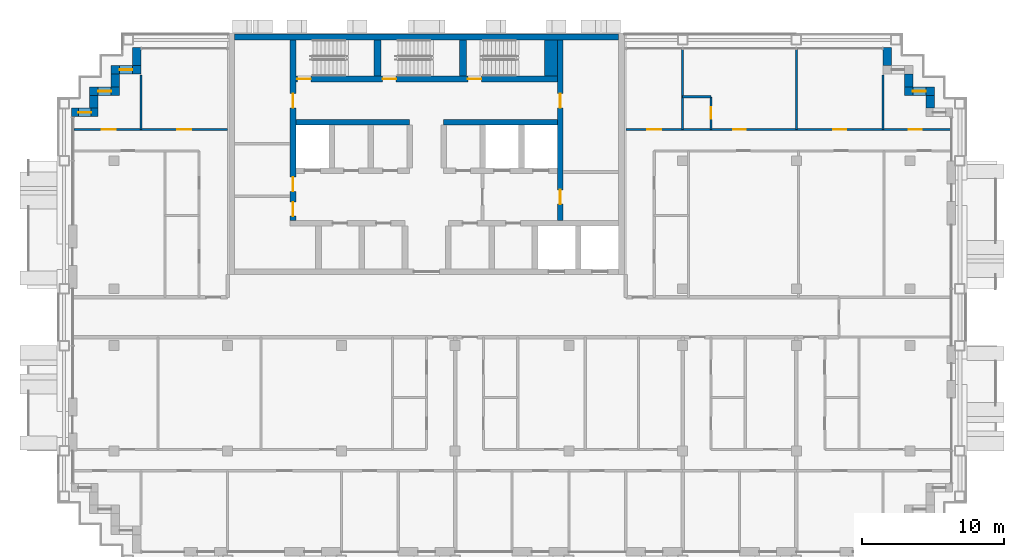
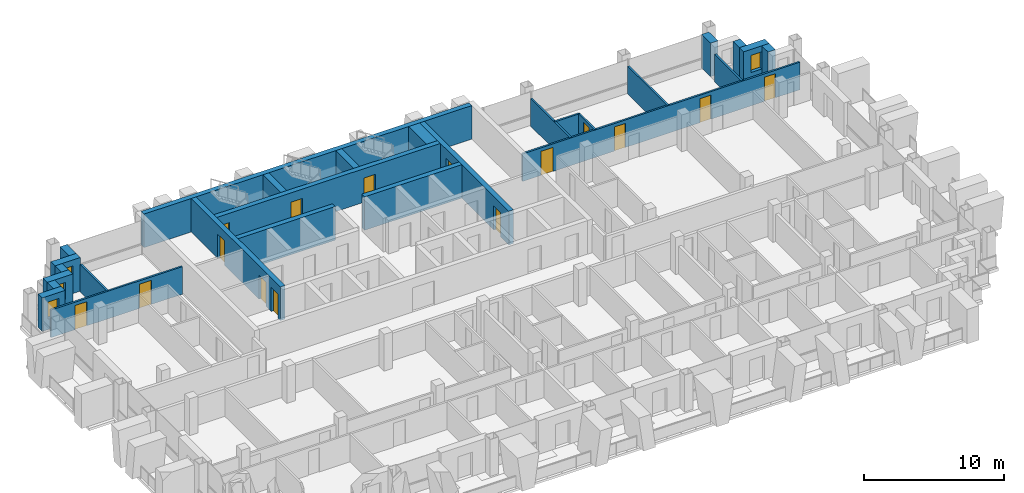
# One storey, part 11 of 16: 27 walls, 15 doors, 4 windows, 19 openings.
"""IFC4 building model written with IfcOpenShell, lengths in metres."""

from ifc_helpers import new_model, si_unit, direction, frame, frame_2d, origin, place, context, subcontext, project, spatial, rectangle, extrude, material, layer, layer_set, type_object, element, fill, save


model = new_model("IFC4")

# Units and contexts
model_context = context("Model", 3, precision=1e-05, world=origin(), true_north=direction((0.0, 1.0)))
body_context = subcontext(model_context, "Body", "Model", "MODEL_VIEW")
ifc_project = project(units=[si_unit("LENGTHUNIT", "METRE"), si_unit("AREAUNIT", "SQUARE_METRE"), si_unit("VOLUMEUNIT", "CUBIC_METRE"), si_unit("PLANEANGLEUNIT", "RADIAN"), si_unit("MASSUNIT", "GRAM", prefix="KILO")], contexts=[model_context])

# Site, building, storey
site_placement = place(None, origin())
site = spatial("IfcSite", under=ifc_project, at=site_placement, CompositionType="ELEMENT")
building_placement = place(site_placement, origin())
building = spatial("IfcBuilding", under=site, at=building_placement, Name="Vidyagriha Tower", CompositionType="ELEMENT")
storey_placement = place(building_placement, frame((0.0, 0.0, 181.300048828125)))
storey = spatial("IfcBuildingStorey", under=building, at=storey_placement, Name="L47", CompositionType="ELEMENT", Elevation=181.300048828125)

# Wall
ifc_material_1 = material(Name="Precast concrete C40/50 with brick facing", Category="concrete")
ifc_layer_1 = layer(ifc_material_1, 0.60009765625)
ifc_layer_set_1 = layer_set([ifc_layer_1], Name="Precast concrete C40/50 with brick facing")
wall_type_1 = type_object("IfcWallType", Name="Brick-faced precast wall 600", PredefinedType="STANDARD", material=ifc_layer_set_1)
wall_1_placement = place(storey_placement, frame((35.39990234375, 14.699951171875, 0.0), z_axis=(0.0, 0.0, 1.0), x_axis=(0.0, 1.0, 0.0)))
element("IfcWall", 1, at=wall_1_placement, inside=storey, type_object=wall_type_1, Name="Stepped corner wall L47 R02", PredefinedType="STANDARD", context=body_context, shape_type="SweptSolid", body=[
    extrude(rectangle(XDim=0.900146484375, YDim=0.60009765625, at=frame_2d((0.4501953125, 0.0))), origin(), (0.0, 0.0, 1.0), 2.919921875),
])

# Wall, opening, window
wall_2_placement = place(storey_placement, frame((35.699951171875, 15.89990234375, 0.0), z_axis=(0.0, 0.0, 1.0), x_axis=(-1.0, 0.0, 0.0)))
wall_2 = element("IfcWall", 2, at=wall_2_placement, inside=storey, type_object=wall_type_1, Name="Stepped corner wall L47 R03", PredefinedType="STANDARD", context=body_context, shape_type="SweptSolid", body=[
    extrude(rectangle(XDim=2.099853515625, YDim=0.60009765625, at=frame_2d((1.0498046875, 0.0))), origin(), (0.0, 0.0, 1.0), 2.919921875),
])
opening_1_placement = place(wall_2_placement, frame((0.60009765625, 0.0, 0.89990234375)))
opening_1 = element("IfcOpeningElement", 3, at=opening_1_placement, cuts=wall_2, Name="Opening WN1", PredefinedType="OPENING", context=body_context, shape_type="SweptSolid", body=[
    extrude(rectangle(XDim=0.89990234375, YDim=1.5, at=frame_2d((0.449951171875, 0.75))), frame((0.0, 0.31005859375, 0.0), z_axis=(0.0, -1.0, 0.0), x_axis=(1.0, 0.0, 0.0)), (0.0, 0.0, 1.0), 0.6201171875),
])
ifc_material_2 = material(Name="Aluminium and glass window", Category="aluminium")
window_type = type_object("IfcWindowType", Name="Reveal window 900x1500", PartitioningType="NOTDEFINED", PredefinedType="WINDOW", material=ifc_material_2)
window_1_placement = place(opening_1_placement, origin())
window_1 = element("IfcWindow", 4, at=window_1_placement, inside=storey, type_object=window_type, Name="Reveal window L47 R03", OverallHeight=1.5, OverallWidth=0.89990234375, PartitioningType="SINGLE_PANEL", PredefinedType="WINDOW", context=body_context, shape_type="SweptSolid", body=[
    extrude(rectangle(XDim=0.89990234375, YDim=1.5, at=frame_2d((0.449951171875, 0.75))), frame((0.0, 0.030029296875, 0.0), z_axis=(0.0, -1.0, 0.0), x_axis=(1.0, 0.0, 0.0)), (0.0, 0.0, 1.0), 0.06005859375),
])
fill(opening_1, window_1)

# Walls
wall_3_placement = place(storey_placement, frame((33.89990234375, 16.199951171875, 0.0), z_axis=(0.0, 0.0, 1.0), x_axis=(0.0, 1.0, 0.0)))
element("IfcWall", 5, at=wall_3_placement, inside=storey, type_object=wall_type_1, Name="Stepped corner wall L47 R04", PredefinedType="STANDARD", context=body_context, shape_type="SweptSolid", body=[
    extrude(rectangle(XDim=0.900146484375, YDim=0.60009765625, at=frame_2d((0.4501953125, 0.0))), origin(), (0.0, 0.0, 1.0), 2.919921875),
])
for number, where, z_axis, x_axis, name in (
    (6, (32.39990234375, 17.699951171875, 0.0), (0.0, 0.0, 1.0), (0.0, 1.0, 0.0), "Stepped corner wall L47 R06"),
    (7, (-20.39990234375, 18.97998046875, 0.0), (0.0, 0.0, 1.0), (0.0, -1.0, 0.0), "Stepped corner wall L47 R10"),
):
    element("IfcWall", number, at=place(storey_placement, frame(where, z_axis=z_axis, x_axis=x_axis)), inside=storey, type_object=wall_type_1, Name=name, PredefinedType="STANDARD", context=body_context, shape_type="SweptSolid", body=[
        extrude(rectangle(XDim=1.280029296875, YDim=0.60009765625, at=frame_2d((0.64013671875, 0.0))), origin(), (0.0, 0.0, 1.0), 2.919921875),
    ])

# Wall, opening, window
wall_4_placement = place(storey_placement, frame((-20.10009765625, 17.39990234375, 0.0), z_axis=(0.0, 0.0, 1.0), x_axis=(-1.0, 0.0, 0.0)))
wall_4 = element("IfcWall", 8, at=wall_4_placement, inside=storey, type_object=wall_type_1, Name="Stepped corner wall L47 R11", PredefinedType="STANDARD", context=body_context, shape_type="SweptSolid", body=[
    extrude(rectangle(XDim=2.099853515625, YDim=0.60009765625, at=frame_2d((1.0498046875, 0.0))), origin(), (0.0, 0.0, 1.0), 2.919921875),
])
opening_2_placement = place(wall_4_placement, frame((0.60009765625, 0.0, 0.89990234375)))
opening_2 = element("IfcOpeningElement", 9, at=opening_2_placement, cuts=wall_4, Name="Opening WN1", PredefinedType="OPENING", context=body_context, shape_type="SweptSolid", body=[
    extrude(rectangle(XDim=0.89990234375, YDim=1.5, at=frame_2d((0.449951171875, 0.75))), frame((0.0, 0.31005859375, 0.0), z_axis=(0.0, -1.0, 0.0), x_axis=(1.0, 0.0, 0.0)), (0.0, 0.0, 1.0), 0.6201171875),
])
window_2_placement = place(opening_2_placement, origin())
window_2 = element("IfcWindow", 10, at=window_2_placement, inside=storey, type_object=window_type, Name="Reveal window L47 R11", OverallHeight=1.5, OverallWidth=0.89990234375, PartitioningType="SINGLE_PANEL", PredefinedType="WINDOW", context=body_context, shape_type="SweptSolid", body=[
    extrude(rectangle(XDim=0.89990234375, YDim=1.5, at=frame_2d((0.449951171875, 0.75))), frame((0.0, 0.030029296875, 0.0), z_axis=(0.0, -1.0, 0.0), x_axis=(1.0, 0.0, 0.0)), (0.0, 0.0, 1.0), 0.06005859375),
])
fill(opening_2, window_2)

# Wall
wall_5_placement = place(storey_placement, frame((-21.89990234375, 17.10009765625, 0.0), z_axis=(0.0, 0.0, 1.0), x_axis=(0.0, -1.0, 0.0)))
element("IfcWall", 11, at=wall_5_placement, inside=storey, type_object=wall_type_1, Name="Stepped corner wall L47 R12", PredefinedType="STANDARD", context=body_context, shape_type="SweptSolid", body=[
    extrude(rectangle(XDim=0.900146484375, YDim=0.60009765625, at=frame_2d((0.4501953125, 0.0))), origin(), (0.0, 0.0, 1.0), 2.919921875),
])

# Wall, opening, window
wall_6_placement = place(storey_placement, frame((-21.60009765625, 15.89990234375, 0.0), z_axis=(0.0, 0.0, 1.0), x_axis=(-1.0, 0.0, 0.0)))
wall_6 = element("IfcWall", 12, at=wall_6_placement, inside=storey, type_object=wall_type_1, Name="Stepped corner wall L47 R13", PredefinedType="STANDARD", context=body_context, shape_type="SweptSolid", body=[
    extrude(rectangle(XDim=2.099853515625, YDim=0.60009765625, at=frame_2d((1.0498046875, 0.0))), origin(), (0.0, 0.0, 1.0), 2.919921875),
])
opening_3_placement = place(wall_6_placement, frame((0.60009765625, 0.0, 0.89990234375)))
opening_3 = element("IfcOpeningElement", 13, at=opening_3_placement, cuts=wall_6, Name="Opening WN1", PredefinedType="OPENING", context=body_context, shape_type="SweptSolid", body=[
    extrude(rectangle(XDim=0.89990234375, YDim=1.5, at=frame_2d((0.449951171875, 0.75))), frame((0.0, 0.31005859375, 0.0), z_axis=(0.0, -1.0, 0.0), x_axis=(1.0, 0.0, 0.0)), (0.0, 0.0, 1.0), 0.6201171875),
])
window_3_placement = place(opening_3_placement, origin())
window_3 = element("IfcWindow", 14, at=window_3_placement, inside=storey, type_object=window_type, Name="Reveal window L47 R13", OverallHeight=1.5, OverallWidth=0.89990234375, PartitioningType="SINGLE_PANEL", PredefinedType="WINDOW", context=body_context, shape_type="SweptSolid", body=[
    extrude(rectangle(XDim=0.89990234375, YDim=1.5, at=frame_2d((0.449951171875, 0.75))), frame((0.0, 0.030029296875, 0.0), z_axis=(0.0, -1.0, 0.0), x_axis=(1.0, 0.0, 0.0)), (0.0, 0.0, 1.0), 0.06005859375),
])
fill(opening_3, window_3)

# Wall
wall_7_placement = place(storey_placement, frame((-23.39990234375, 15.60009765625, 0.0), z_axis=(0.0, 0.0, 1.0), x_axis=(0.0, -1.0, 0.0)))
element("IfcWall", 15, at=wall_7_placement, inside=storey, type_object=wall_type_1, Name="Stepped corner wall L47 R14", PredefinedType="STANDARD", context=body_context, shape_type="SweptSolid", body=[
    extrude(rectangle(XDim=0.900146484375, YDim=0.60009765625, at=frame_2d((0.4501953125, 0.0))), origin(), (0.0, 0.0, 1.0), 2.919921875),
])

# Wall, opening, window
wall_8_placement = place(storey_placement, frame((-23.10009765625, 14.39990234375, 0.0), z_axis=(0.0, 0.0, 1.0), x_axis=(-1.0, 0.0, 0.0)))
wall_8 = element("IfcWall", 16, at=wall_8_placement, inside=storey, type_object=wall_type_1, Name="Stepped corner wall L47 R15", PredefinedType="STANDARD", context=body_context, shape_type="SweptSolid", body=[
    extrude(rectangle(XDim=1.8798828125, YDim=0.60009765625, at=frame_2d((0.93994140625, 0.0))), origin(), (0.0, 0.0, 1.0), 2.919921875),
])
opening_4_placement = place(wall_8_placement, frame((0.489990234375, 0.0, 0.89990234375)))
opening_4 = element("IfcOpeningElement", 17, at=opening_4_placement, cuts=wall_8, Name="Opening WN1", PredefinedType="OPENING", context=body_context, shape_type="SweptSolid", body=[
    extrude(rectangle(XDim=0.89990234375, YDim=1.5, at=frame_2d((0.449951171875, 0.75))), frame((0.0, 0.31005859375, 0.0), z_axis=(0.0, -1.0, 0.0), x_axis=(1.0, 0.0, 0.0)), (0.0, 0.0, 1.0), 0.6201171875),
])
window_4_placement = place(opening_4_placement, origin())
window_4 = element("IfcWindow", 18, at=window_4_placement, inside=storey, type_object=window_type, Name="Reveal window L47 R15", OverallHeight=1.5, OverallWidth=0.89990234375, PartitioningType="SINGLE_PANEL", PredefinedType="WINDOW", context=body_context, shape_type="SweptSolid", body=[
    extrude(rectangle(XDim=0.89990234375, YDim=1.5, at=frame_2d((0.449951171875, 0.75))), frame((0.0, 0.030029296875, 0.0), z_axis=(0.0, -1.0, 0.0), x_axis=(1.0, 0.0, 0.0)), (0.0, 0.0, 1.0), 0.06005859375),
])
fill(opening_4, window_4)

# Wall
ifc_material_3 = material(Name="Concrete C60/75", Category="concrete")
ifc_layer_2 = layer(ifc_material_3, 0.39990234375)
ifc_layer_set_2 = layer_set([ifc_layer_2], Name="Concrete C60/75")
wall_type_2 = type_object("IfcWallType", Name="Core shear wall 400 mm", PredefinedType="SHEAR", material=ifc_layer_set_2)
wall_9_placement = place(storey_placement, frame((-13.5, 19.699951171875, 0.0)))
element("IfcWall", 19, at=wall_9_placement, inside=storey, type_object=wall_type_2, Name="Core north wall", PredefinedType="SHEAR", context=body_context, shape_type="SweptSolid", body=[
    extrude(rectangle(XDim=27.0, YDim=0.39990234375, at=frame_2d((13.5, 0.0))), origin(), (0.0, 0.0, 1.0), 2.919921875),
])

# Wall, openings, doors
wall_10_placement = place(storey_placement, frame((-9.39990234375, 6.800048828125, 0.0), z_axis=(0.0, 0.0, 1.0), x_axis=(0.0, 1.0, 0.0)))
wall_10 = element("IfcWall", 20, at=wall_10_placement, inside=storey, type_object=wall_type_2, Name="Core west spine wall", PredefinedType="SHEAR", context=body_context, shape_type="SweptSolid", body=[
    extrude(rectangle(XDim=12.699951171875, YDim=0.39990234375, at=frame_2d((6.35009765625, 0.0))), origin(), (0.0, 0.0, 1.0), 2.919921875),
])
opening_5_placement = place(wall_10_placement, frame((0.300048828125, 0.0, 0.0)))
opening_5 = element("IfcOpeningElement", 21, at=opening_5_placement, cuts=wall_10, Name="Opening D47-13", PredefinedType="OPENING", context=body_context, shape_type="SweptSolid", body=[
    extrude(rectangle(XDim=1.0, YDim=2.10009765625, at=frame_2d((0.5, 1.050048828125))), frame((0.0, 0.2099609375, 0.0), z_axis=(0.0, -1.0, 0.0), x_axis=(1.0, 0.0, 0.0)), (0.0, 0.0, 1.0), 0.419921875),
])
opening_6_placement = place(wall_10_placement, frame((2.050048828125, 0.0, 0.0)))
opening_6 = element("IfcOpeningElement", 22, at=opening_6_placement, cuts=wall_10, Name="Opening D47-14", PredefinedType="OPENING", context=body_context, shape_type="SweptSolid", body=[
    extrude(rectangle(XDim=1.0, YDim=2.10009765625, at=frame_2d((0.5, 1.050048828125))), frame((0.0, 0.2099609375, 0.0), z_axis=(0.0, -1.0, 0.0), x_axis=(1.0, 0.0, 0.0)), (0.0, 0.0, 1.0), 0.419921875),
])
opening_7_placement = place(wall_10_placement, frame((7.925048828125, 0.0, 0.0)))
opening_7 = element("IfcOpeningElement", 23, at=opening_7_placement, cuts=wall_10, Name="Opening D47-15", PredefinedType="OPENING", context=body_context, shape_type="SweptSolid", body=[
    extrude(rectangle(XDim=1.0, YDim=2.10009765625, at=frame_2d((0.5, 1.050048828125))), frame((0.0, 0.2099609375, 0.0), z_axis=(0.0, -1.0, 0.0), x_axis=(1.0, 0.0, 0.0)), (0.0, 0.0, 1.0), 0.419921875),
])
ifc_material_4 = material(Name="Hollow metal door leaf")
door_type_1 = type_object("IfcDoorType", Name="Core room door 1000 x 2100 mm EI 60", OperationType="NOTDEFINED", PredefinedType="DOOR", material=ifc_material_4)
door_1_placement = place(opening_5_placement, frame((1.0, 0.0, 0.0), z_axis=(0.0, 0.0, 1.0), x_axis=(-1.0, 0.0, 0.0)))
door_1 = element("IfcDoor", 24, at=door_1_placement, inside=storey, type_object=door_type_1, Name="Door Pressurisation Plant Room 47.W1", OperationType="SINGLE_SWING_RIGHT", OverallHeight=2.10009765625, OverallWidth=1.0, PredefinedType="DOOR", context=body_context, shape_type="SweptSolid", body=[
    extrude(rectangle(XDim=1.0, YDim=2.10009765625, at=frame_2d((0.5, 1.050048828125))), frame((0.0, 0.02490234375, 0.0), z_axis=(0.0, -1.0, 0.0), x_axis=(1.0, 0.0, 0.0)), (0.0, 0.0, 1.0), 0.050048828125),
])
fill(opening_5, door_1)
door_2_placement = place(opening_6_placement, frame((1.0, 0.0, 0.0), z_axis=(0.0, 0.0, 1.0), x_axis=(-1.0, 0.0, 0.0)))
door_2 = element("IfcDoor", 25, at=door_2_placement, inside=storey, type_object=door_type_1, Name="Door Switchgear Room 47.W2", OperationType="SINGLE_SWING_LEFT", OverallHeight=2.10009765625, OverallWidth=1.0, PredefinedType="DOOR", context=body_context, shape_type="SweptSolid", body=[
    extrude(rectangle(XDim=1.0, YDim=2.10009765625, at=frame_2d((0.5, 1.050048828125))), frame((0.0, 0.02490234375, 0.0), z_axis=(0.0, -1.0, 0.0), x_axis=(1.0, 0.0, 0.0)), (0.0, 0.0, 1.0), 0.050048828125),
])
fill(opening_6, door_2)
door_3_placement = place(opening_7_placement, frame((1.0, 0.0, 0.0), z_axis=(0.0, 0.0, 1.0), x_axis=(-1.0, 0.0, 0.0)))
door_3 = element("IfcDoor", 26, at=door_3_placement, inside=storey, type_object=door_type_1, Name="Door Communications Room 47.W3", OperationType="SINGLE_SWING_LEFT", OverallHeight=2.10009765625, OverallWidth=1.0, PredefinedType="DOOR", context=body_context, shape_type="SweptSolid", body=[
    extrude(rectangle(XDim=1.0, YDim=2.10009765625, at=frame_2d((0.5, 1.050048828125))), frame((0.0, 0.02490234375, 0.0), z_axis=(0.0, -1.0, 0.0), x_axis=(1.0, 0.0, 0.0)), (0.0, 0.0, 1.0), 0.050048828125),
])
fill(opening_7, door_3)

wall_11_placement = place(storey_placement, frame((9.39990234375, 6.800048828125, 0.0), z_axis=(0.0, 0.0, 1.0), x_axis=(0.0, 1.0, 0.0)))
wall_11 = element("IfcWall", 27, at=wall_11_placement, inside=storey, type_object=wall_type_2, Name="Core east spine wall", PredefinedType="SHEAR", context=body_context, shape_type="SweptSolid", body=[
    extrude(rectangle(XDim=12.699951171875, YDim=0.39990234375, at=frame_2d((6.35009765625, 0.0))), origin(), (0.0, 0.0, 1.0), 2.919921875),
])
opening_8_placement = place(wall_11_placement, frame((1.14990234375, 0.0, 0.0)))
opening_8 = element("IfcOpeningElement", 28, at=opening_8_placement, cuts=wall_11, Name="Opening D47-16", PredefinedType="OPENING", context=body_context, shape_type="SweptSolid", body=[
    extrude(rectangle(XDim=1.0, YDim=2.10009765625, at=frame_2d((0.5, 1.050048828125))), frame((0.0, 0.2099609375, 0.0), z_axis=(0.0, -1.0, 0.0), x_axis=(1.0, 0.0, 0.0)), (0.0, 0.0, 1.0), 0.419921875),
])
opening_9_placement = place(wall_11_placement, frame((7.925048828125, 0.0, 0.0)))
opening_9 = element("IfcOpeningElement", 29, at=opening_9_placement, cuts=wall_11, Name="Opening D47-17", PredefinedType="OPENING", context=body_context, shape_type="SweptSolid", body=[
    extrude(rectangle(XDim=1.0, YDim=2.10009765625, at=frame_2d((0.5, 1.050048828125))), frame((0.0, 0.2099609375, 0.0), z_axis=(0.0, -1.0, 0.0), x_axis=(1.0, 0.0, 0.0)), (0.0, 0.0, 1.0), 0.419921875),
])
door_4_placement = place(opening_8_placement, origin())
door_4 = element("IfcDoor", 30, at=door_4_placement, inside=storey, type_object=door_type_1, Name="Door Switchgear Room 47.E1", OperationType="SINGLE_SWING_RIGHT", OverallHeight=2.10009765625, OverallWidth=1.0, PredefinedType="DOOR", context=body_context, shape_type="SweptSolid", body=[
    extrude(rectangle(XDim=1.0, YDim=2.10009765625, at=frame_2d((0.5, 1.050048828125))), frame((0.0, 0.02490234375, 0.0), z_axis=(0.0, -1.0, 0.0), x_axis=(1.0, 0.0, 0.0)), (0.0, 0.0, 1.0), 0.050048828125),
])
fill(opening_8, door_4)
door_5_placement = place(opening_9_placement, origin())
door_5 = element("IfcDoor", 31, at=door_5_placement, inside=storey, type_object=door_type_1, Name="Door Electrical Room 47.E2", OperationType="SINGLE_SWING_LEFT", OverallHeight=2.10009765625, OverallWidth=1.0, PredefinedType="DOOR", context=body_context, shape_type="SweptSolid", body=[
    extrude(rectangle(XDim=1.0, YDim=2.10009765625, at=frame_2d((0.5, 1.050048828125))), frame((0.0, 0.02490234375, 0.0), z_axis=(0.0, -1.0, 0.0), x_axis=(1.0, 0.0, 0.0)), (0.0, 0.0, 1.0), 0.050048828125),
])
fill(opening_9, door_5)

# Walls
for number, where, name in (
    (32, (-9.199951171875, 13.699951171875, 0.0), "Core row N rear wall"),
    (33, (1.199951171875, 13.699951171875, 0.0), "Core row N rear wall"),
):
    element("IfcWall", number, at=place(storey_placement, frame(where)), inside=storey, type_object=wall_type_2, Name=name, PredefinedType="SHEAR", context=body_context, shape_type="SweptSolid", body=[
        extrude(rectangle(XDim=8.0, YDim=0.39990234375, at=frame_2d((4.0, 0.0))), origin(), (0.0, 0.0, 1.0), 2.919921875),
    ])

# Wall, openings, doors
wall_12_placement = place(storey_placement, frame((-9.199951171875, 16.75, 0.0)))
wall_12 = element("IfcWall", 34, at=wall_12_placement, inside=storey, type_object=wall_type_2, Name="Stair front wall", PredefinedType="SHEAR", context=body_context, shape_type="SweptSolid", body=[
    extrude(rectangle(XDim=18.39990234375, YDim=0.39990234375, at=frame_2d((9.199951171875, 0.0))), origin(), (0.0, 0.0, 1.0), 2.919921875),
])
opening_10_placement = place(wall_12_placement, frame((0.10009765625, 0.0, 0.0)))
opening_10 = element("IfcOpeningElement", 35, at=opening_10_placement, cuts=wall_12, Name="Opening D47-10", PredefinedType="OPENING", context=body_context, shape_type="SweptSolid", body=[
    extrude(rectangle(XDim=0.949951171875, YDim=2.10009765625, at=frame_2d((0.47509765625, 1.050048828125))), frame((0.0, 0.2099609375, 0.0), z_axis=(0.0, -1.0, 0.0), x_axis=(1.0, 0.0, 0.0)), (0.0, 0.0, 1.0), 0.419921875),
])
opening_11_placement = place(wall_12_placement, frame((6.10009765625, 0.0, 0.0)))
opening_11 = element("IfcOpeningElement", 36, at=opening_11_placement, cuts=wall_12, Name="Opening D47-11", PredefinedType="OPENING", context=body_context, shape_type="SweptSolid", body=[
    extrude(rectangle(XDim=0.949951171875, YDim=2.10009765625, at=frame_2d((0.47509765625, 1.050048828125))), frame((0.0, 0.2099609375, 0.0), z_axis=(0.0, -1.0, 0.0), x_axis=(1.0, 0.0, 0.0)), (0.0, 0.0, 1.0), 0.419921875),
])
opening_12_placement = place(wall_12_placement, frame((12.10009765625, 0.0, 0.0)))
opening_12 = element("IfcOpeningElement", 37, at=opening_12_placement, cuts=wall_12, Name="Opening D47-12", PredefinedType="OPENING", context=body_context, shape_type="SweptSolid", body=[
    extrude(rectangle(XDim=0.949951171875, YDim=2.10009765625, at=frame_2d((0.47509765625, 1.050048828125))), frame((0.0, 0.2099609375, 0.0), z_axis=(0.0, -1.0, 0.0), x_axis=(1.0, 0.0, 0.0)), (0.0, 0.0, 1.0), 0.419921875),
])
ifc_material_5 = material(Name="Hollow metal door leaf")
door_type_2 = type_object("IfcDoorType", Name="Exit stair door 950 x 2100 mm EI 90", OperationType="NOTDEFINED", PredefinedType="DOOR", material=ifc_material_5)
door_6_placement = place(opening_10_placement, origin())
door_6 = element("IfcDoor", 38, at=door_6_placement, inside=storey, type_object=door_type_2, Name="Stair door ST1 L47", OperationType="SINGLE_SWING_LEFT", OverallHeight=2.10009765625, OverallWidth=0.949951171875, PredefinedType="DOOR", context=body_context, shape_type="SweptSolid", body=[
    extrude(rectangle(XDim=0.949951171875, YDim=2.10009765625, at=frame_2d((0.47509765625, 1.050048828125))), frame((0.0, 0.02490234375, 0.0), z_axis=(0.0, -1.0, 0.0), x_axis=(1.0, 0.0, 0.0)), (0.0, 0.0, 1.0), 0.050048828125),
])
fill(opening_10, door_6)
door_7_placement = place(opening_11_placement, origin())
door_7 = element("IfcDoor", 39, at=door_7_placement, inside=storey, type_object=door_type_2, Name="Stair door ST2 L47", OperationType="SINGLE_SWING_LEFT", OverallHeight=2.10009765625, OverallWidth=0.949951171875, PredefinedType="DOOR", context=body_context, shape_type="SweptSolid", body=[
    extrude(rectangle(XDim=0.949951171875, YDim=2.10009765625, at=frame_2d((0.47509765625, 1.050048828125))), frame((0.0, 0.02490234375, 0.0), z_axis=(0.0, -1.0, 0.0), x_axis=(1.0, 0.0, 0.0)), (0.0, 0.0, 1.0), 0.050048828125),
])
fill(opening_11, door_7)
door_8_placement = place(opening_12_placement, origin())
door_8 = element("IfcDoor", 40, at=door_8_placement, inside=storey, type_object=door_type_2, Name="Stair door ST3 L47", OperationType="SINGLE_SWING_LEFT", OverallHeight=2.10009765625, OverallWidth=0.949951171875, PredefinedType="DOOR", context=body_context, shape_type="SweptSolid", body=[
    extrude(rectangle(XDim=0.949951171875, YDim=2.10009765625, at=frame_2d((0.47509765625, 1.050048828125))), frame((0.0, 0.02490234375, 0.0), z_axis=(0.0, -1.0, 0.0), x_axis=(1.0, 0.0, 0.0)), (0.0, 0.0, 1.0), 0.050048828125),
])
fill(opening_12, door_8)

# Walls
ifc_material_6 = material(Name="Concrete C60/75", Category="concrete")
ifc_layer_3 = layer(ifc_material_6, 0.5)
ifc_layer_set_3 = layer_set([ifc_layer_3], Name="Concrete C60/75")
wall_type_3 = type_object("IfcWallType", Name="Core shear wall 500 mm", PredefinedType="SHEAR", material=ifc_layer_set_3)
for number, where, z_axis, x_axis, name in (
    (41, (-3.449951171875, 16.949951171875, 0.0), (0.0, 0.0, 1.0), (0.0, 1.0, 0.0), "Stair partition wall 1"),
    (42, (2.550048828125, 16.949951171875, 0.0), (0.0, 0.0, 1.0), (0.0, 1.0, 0.0), "Stair partition wall 2"),
):
    element("IfcWall", number, at=place(storey_placement, frame(where, z_axis=z_axis, x_axis=x_axis)), inside=storey, type_object=wall_type_3, Name=name, PredefinedType="SHEAR", context=body_context, shape_type="SweptSolid", body=[
        extrude(rectangle(XDim=2.550048828125, YDim=0.5, at=frame_2d((1.27490234375, 0.0))), origin(), (0.0, 0.0, 1.0), 2.919921875),
    ])
ifc_material_7 = material(Name="Concrete C60/75", Category="concrete")
ifc_layer_4 = layer(ifc_material_7, 0.89990234375)
ifc_layer_set_4 = layer_set([ifc_layer_4], Name="Concrete C60/75")
wall_type_4 = type_object("IfcWallType", Name="Core shear wall 900 mm", PredefinedType="SHEAR", material=ifc_layer_set_4)
wall_13_placement = place(storey_placement, frame((8.75, 16.949951171875, 0.0), z_axis=(0.0, 0.0, 1.0), x_axis=(0.0, 1.0, 0.0)))
element("IfcWall", 43, at=wall_13_placement, inside=storey, type_object=wall_type_4, Name="Stair end wall", PredefinedType="SHEAR", context=body_context, shape_type="SweptSolid", body=[
    extrude(rectangle(XDim=2.550048828125, YDim=0.89990234375, at=frame_2d((1.27490234375, 0.0))), origin(), (0.0, 0.0, 1.0), 2.919921875),
])

# Wall, openings, doors
ifc_material_8 = material(Name="Gypsum board partition")
ifc_layer_5 = layer(ifc_material_8, 0.14990234375)
ifc_layer_set_5 = layer_set([ifc_layer_5], Name="Gypsum board partition")
wall_type_5 = type_object("IfcWallType", Name="Gypsum board partition 150", PredefinedType="PARTITIONING", material=ifc_layer_set_5)
wall_14_placement = place(storey_placement, frame((-24.820068359375, 13.199951171875, 0.0)))
wall_14 = element("IfcWall", 44, at=wall_14_placement, inside=storey, type_object=wall_type_5, Name="Wall all-L47-w080", PredefinedType="PARTITIONING", context=body_context, shape_type="SweptSolid", body=[
    extrude(rectangle(XDim=10.820068359375, YDim=0.14990234375, at=frame_2d((5.41015625, 0.0))), origin(), (0.0, 0.0, 1.0), 2.39990234375),
])
opening_13_placement = place(wall_14_placement, frame((1.969970703125, 0.0, 0.0)))
opening_13 = element("IfcOpeningElement", 45, at=opening_13_placement, cuts=wall_14, Name="Opening D47-54", PredefinedType="OPENING", context=body_context, shape_type="SweptSolid", body=[
    extrude(rectangle(XDim=1.0, YDim=2.10009765625, at=frame_2d((0.5, 1.050048828125))), frame((0.0, 0.0849609375, 0.0), z_axis=(0.0, -1.0, 0.0), x_axis=(1.0, 0.0, 0.0)), (0.0, 0.0, 1.0), 0.169921875),
])
opening_14_placement = place(wall_14_placement, frame((7.27001953125, 0.0, 0.0)))
opening_14 = element("IfcOpeningElement", 46, at=opening_14_placement, cuts=wall_14, Name="Opening D47-55", PredefinedType="OPENING", context=body_context, shape_type="SweptSolid", body=[
    extrude(rectangle(XDim=1.0, YDim=2.10009765625, at=frame_2d((0.5, 1.050048828125))), frame((0.0, 0.0849609375, 0.0), z_axis=(0.0, -1.0, 0.0), x_axis=(1.0, 0.0, 0.0)), (0.0, 0.0, 1.0), 0.169921875),
])
ifc_material_9 = material(Name="Timber door leaf", Category="wood")
door_type_3 = type_object("IfcDoorType", Name="Room door 1000x2100", OperationType="NOTDEFINED", PredefinedType="DOOR", material=ifc_material_9)
door_9_placement = place(opening_13_placement, origin())
door_9 = element("IfcDoor", 47, at=door_9_placement, inside=storey, type_object=door_type_3, Name="Door D47-54", OperationType="SINGLE_SWING_RIGHT", OverallHeight=2.10009765625, OverallWidth=1.0, PredefinedType="DOOR", context=body_context, shape_type="SweptSolid", body=[
    extrude(rectangle(XDim=1.0, YDim=2.10009765625, at=frame_2d((0.5, 1.050048828125))), frame((0.0, 0.02490234375, 0.0), z_axis=(0.0, -1.0, 0.0), x_axis=(1.0, 0.0, 0.0)), (0.0, 0.0, 1.0), 0.050048828125),
])
fill(opening_13, door_9)
door_10_placement = place(opening_14_placement, origin())
door_10 = element("IfcDoor", 48, at=door_10_placement, inside=storey, type_object=door_type_3, Name="Door D47-55", OperationType="SINGLE_SWING_RIGHT", OverallHeight=2.10009765625, OverallWidth=1.0, PredefinedType="DOOR", context=body_context, shape_type="SweptSolid", body=[
    extrude(rectangle(XDim=1.0, YDim=2.10009765625, at=frame_2d((0.5, 1.050048828125))), frame((0.0, 0.02490234375, 0.0), z_axis=(0.0, -1.0, 0.0), x_axis=(1.0, 0.0, 0.0)), (0.0, 0.0, 1.0), 0.050048828125),
])
fill(opening_14, door_10)

# Wall
wall_15_placement = place(storey_placement, frame((-20.10009765625, 17.02001953125, 0.0), z_axis=(0.0, 0.0, 1.0), x_axis=(0.0, -1.0, 0.0)))
element("IfcWall", 49, at=wall_15_placement, inside=storey, type_object=wall_type_5, Name="Wall all-L47-w083", PredefinedType="PARTITIONING", context=body_context, shape_type="SweptSolid", body=[
    extrude(rectangle(XDim=3.820068359375, YDim=0.14990234375, at=frame_2d((1.91015625, 0.0))), origin(), (0.0, 0.0, 1.0), 2.39990234375),
])

# Wall, openings, doors
wall_16_placement = place(storey_placement, frame((14.0, 13.199951171875, 0.0)))
wall_16 = element("IfcWall", 50, at=wall_16_placement, inside=storey, type_object=wall_type_5, Name="Wall all-L47-w097", PredefinedType="PARTITIONING", context=body_context, shape_type="SweptSolid", body=[
    extrude(rectangle(XDim=22.820068359375, YDim=0.14990234375, at=frame_2d((11.41015625, 0.0))), origin(), (0.0, 0.0, 1.0), 2.39990234375),
])
opening_15_placement = place(wall_16_placement, frame((1.5, 0.0, 0.0)))
opening_15 = element("IfcOpeningElement", 51, at=opening_15_placement, cuts=wall_16, Name="Opening D47-62", PredefinedType="OPENING", context=body_context, shape_type="SweptSolid", body=[
    extrude(rectangle(XDim=1.0, YDim=2.10009765625, at=frame_2d((0.5, 1.050048828125))), frame((0.0, 0.0849609375, 0.0), z_axis=(0.0, -1.0, 0.0), x_axis=(1.0, 0.0, 0.0)), (0.0, 0.0, 1.0), 0.169921875),
])
opening_16_placement = place(wall_16_placement, frame((7.550048828125, 0.0, 0.0)))
opening_16 = element("IfcOpeningElement", 52, at=opening_16_placement, cuts=wall_16, Name="Opening D47-63", PredefinedType="OPENING", context=body_context, shape_type="SweptSolid", body=[
    extrude(rectangle(XDim=0.89990234375, YDim=2.10009765625, at=frame_2d((0.449951171875, 1.050048828125))), frame((0.0, 0.0849609375, 0.0), z_axis=(0.0, -1.0, 0.0), x_axis=(1.0, 0.0, 0.0)), (0.0, 0.0, 1.0), 0.169921875),
])
opening_17_placement = place(wall_16_placement, frame((14.60009765625, 0.0, 0.0)))
opening_17 = element("IfcOpeningElement", 53, at=opening_17_placement, cuts=wall_16, Name="Opening D47-64", PredefinedType="OPENING", context=body_context, shape_type="SweptSolid", body=[
    extrude(rectangle(XDim=0.89990234375, YDim=2.10009765625, at=frame_2d((0.449951171875, 1.050048828125))), frame((0.0, 0.0849609375, 0.0), z_axis=(0.0, -1.0, 0.0), x_axis=(1.0, 0.0, 0.0)), (0.0, 0.0, 1.0), 0.169921875),
])
opening_18_placement = place(wall_16_placement, frame((19.89990234375, 0.0, 0.0)))
opening_18 = element("IfcOpeningElement", 54, at=opening_18_placement, cuts=wall_16, Name="Opening D47-65", PredefinedType="OPENING", context=body_context, shape_type="SweptSolid", body=[
    extrude(rectangle(XDim=0.89990234375, YDim=2.10009765625, at=frame_2d((0.449951171875, 1.050048828125))), frame((0.0, 0.0849609375, 0.0), z_axis=(0.0, -1.0, 0.0), x_axis=(1.0, 0.0, 0.0)), (0.0, 0.0, 1.0), 0.169921875),
])
door_11_placement = place(opening_15_placement, origin())
door_11 = element("IfcDoor", 55, at=door_11_placement, inside=storey, type_object=door_type_3, Name="Door D47-62", OperationType="SINGLE_SWING_RIGHT", OverallHeight=2.10009765625, OverallWidth=1.0, PredefinedType="DOOR", context=body_context, shape_type="SweptSolid", body=[
    extrude(rectangle(XDim=1.0, YDim=2.10009765625, at=frame_2d((0.5, 1.050048828125))), frame((0.0, 0.02490234375, 0.0), z_axis=(0.0, -1.0, 0.0), x_axis=(1.0, 0.0, 0.0)), (0.0, 0.0, 1.0), 0.050048828125),
])
fill(opening_15, door_11)
ifc_material_10 = material(Name="Timber door leaf", Category="wood")
door_type_4 = type_object("IfcDoorType", Name="Room door 900x2100", OperationType="NOTDEFINED", PredefinedType="DOOR", material=ifc_material_10)
door_12_placement = place(opening_16_placement, origin())
door_12 = element("IfcDoor", 56, at=door_12_placement, inside=storey, type_object=door_type_4, Name="Door D47-63", OperationType="SINGLE_SWING_RIGHT", OverallHeight=2.10009765625, OverallWidth=0.89990234375, PredefinedType="DOOR", context=body_context, shape_type="SweptSolid", body=[
    extrude(rectangle(XDim=0.89990234375, YDim=2.10009765625, at=frame_2d((0.449951171875, 1.050048828125))), frame((0.0, 0.02490234375, 0.0), z_axis=(0.0, -1.0, 0.0), x_axis=(1.0, 0.0, 0.0)), (0.0, 0.0, 1.0), 0.050048828125),
])
fill(opening_16, door_12)
door_13_placement = place(opening_17_placement, origin())
door_13 = element("IfcDoor", 57, at=door_13_placement, inside=storey, type_object=door_type_4, Name="Door D47-64", OperationType="SINGLE_SWING_RIGHT", OverallHeight=2.10009765625, OverallWidth=0.89990234375, PredefinedType="DOOR", context=body_context, shape_type="SweptSolid", body=[
    extrude(rectangle(XDim=0.89990234375, YDim=2.10009765625, at=frame_2d((0.449951171875, 1.050048828125))), frame((0.0, 0.02490234375, 0.0), z_axis=(0.0, -1.0, 0.0), x_axis=(1.0, 0.0, 0.0)), (0.0, 0.0, 1.0), 0.050048828125),
])
fill(opening_17, door_13)
door_14_placement = place(opening_18_placement, origin())
door_14 = element("IfcDoor", 58, at=door_14_placement, inside=storey, type_object=door_type_4, Name="Door D47-65", OperationType="SINGLE_SWING_RIGHT", OverallHeight=2.10009765625, OverallWidth=0.89990234375, PredefinedType="DOOR", context=body_context, shape_type="SweptSolid", body=[
    extrude(rectangle(XDim=0.89990234375, YDim=2.10009765625, at=frame_2d((0.449951171875, 1.050048828125))), frame((0.0, 0.02490234375, 0.0), z_axis=(0.0, -1.0, 0.0), x_axis=(1.0, 0.0, 0.0)), (0.0, 0.0, 1.0), 0.050048828125),
])
fill(opening_18, door_14)

# Walls
for number, where, z_axis, x_axis, name in (
    (59, (18.0, 18.821044921875, 0.0), (0.0, 0.0, 1.0), (0.0, -1.0, 0.0), "Wall all-L47-w102"),
    (60, (26.0, 18.821044921875, 0.0), (0.0, 0.0, 1.0), (0.0, -1.0, 0.0), "Wall all-L47-w103"),
):
    element("IfcWall", number, at=place(storey_placement, frame(where, z_axis=z_axis, x_axis=x_axis)), inside=storey, type_object=wall_type_5, Name=name, PredefinedType="PARTITIONING", context=body_context, shape_type="SweptSolid", body=[
        extrude(rectangle(XDim=5.62109375, YDim=0.14990234375, at=frame_2d((2.810546875, 0.0))), origin(), (0.0, 0.0, 1.0), 2.39990234375),
    ])
wall_17_placement = place(storey_placement, frame((32.10009765625, 17.02001953125, 0.0), z_axis=(0.0, 0.0, 1.0), x_axis=(0.0, -1.0, 0.0)))
element("IfcWall", 61, at=wall_17_placement, inside=storey, type_object=wall_type_5, Name="Wall all-L47-w104", PredefinedType="PARTITIONING", context=body_context, shape_type="SweptSolid", body=[
    extrude(rectangle(XDim=3.820068359375, YDim=0.14990234375, at=frame_2d((1.91015625, 0.0))), origin(), (0.0, 0.0, 1.0), 2.39990234375),
])

# Wall, opening, door
wall_18_placement = place(storey_placement, frame((20.0, 15.5, 0.0), z_axis=(0.0, 0.0, 1.0), x_axis=(0.0, -1.0, 0.0)))
wall_18 = element("IfcWall", 62, at=wall_18_placement, inside=storey, type_object=wall_type_5, Name="Wall all-L47-w105", PredefinedType="PARTITIONING", context=body_context, shape_type="SweptSolid", body=[
    extrude(rectangle(XDim=2.300048828125, YDim=0.14990234375, at=frame_2d((1.14990234375, 0.0))), origin(), (0.0, 0.0, 1.0), 2.39990234375),
])
opening_19_placement = place(wall_18_placement, frame((0.75, 0.0, 0.0)))
opening_19 = element("IfcOpeningElement", 63, at=opening_19_placement, cuts=wall_18, Name="Opening D47-66", PredefinedType="OPENING", context=body_context, shape_type="SweptSolid", body=[
    extrude(rectangle(XDim=0.800048828125, YDim=2.10009765625, at=frame_2d((0.39990234375, 1.050048828125))), frame((0.0, 0.0849609375, 0.0), z_axis=(0.0, -1.0, 0.0), x_axis=(1.0, 0.0, 0.0)), (0.0, 0.0, 1.0), 0.169921875),
])
ifc_material_11 = material(Name="Timber door leaf", Category="wood")
door_type_5 = type_object("IfcDoorType", Name="Bathroom door 800x2100", OperationType="NOTDEFINED", PredefinedType="DOOR", material=ifc_material_11)
door_15_placement = place(opening_19_placement, origin())
door_15 = element("IfcDoor", 64, at=door_15_placement, inside=storey, type_object=door_type_5, Name="Door D47-66", OperationType="SINGLE_SWING_RIGHT", OverallHeight=2.10009765625, OverallWidth=0.800048828125, PredefinedType="DOOR", context=body_context, shape_type="SweptSolid", body=[
    extrude(rectangle(XDim=0.800048828125, YDim=2.10009765625, at=frame_2d((0.39990234375, 1.050048828125))), frame((0.0, 0.02490234375, 0.0), z_axis=(0.0, -1.0, 0.0), x_axis=(1.0, 0.0, 0.0)), (0.0, 0.0, 1.0), 0.050048828125),
])
fill(opening_19, door_15)

# Wall
wall_19_placement = place(storey_placement, frame((18.0, 15.5, 0.0)))
element("IfcWall", 65, at=wall_19_placement, inside=storey, type_object=wall_type_5, Name="Wall all-L47-w106", PredefinedType="PARTITIONING", context=body_context, shape_type="SweptSolid", body=[
    extrude(rectangle(XDim=2.0, YDim=0.14990234375, at=frame_2d((1.0, 0.0))), origin(), (0.0, 0.0, 1.0), 2.39990234375),
])

save(model, "model.ifc")
